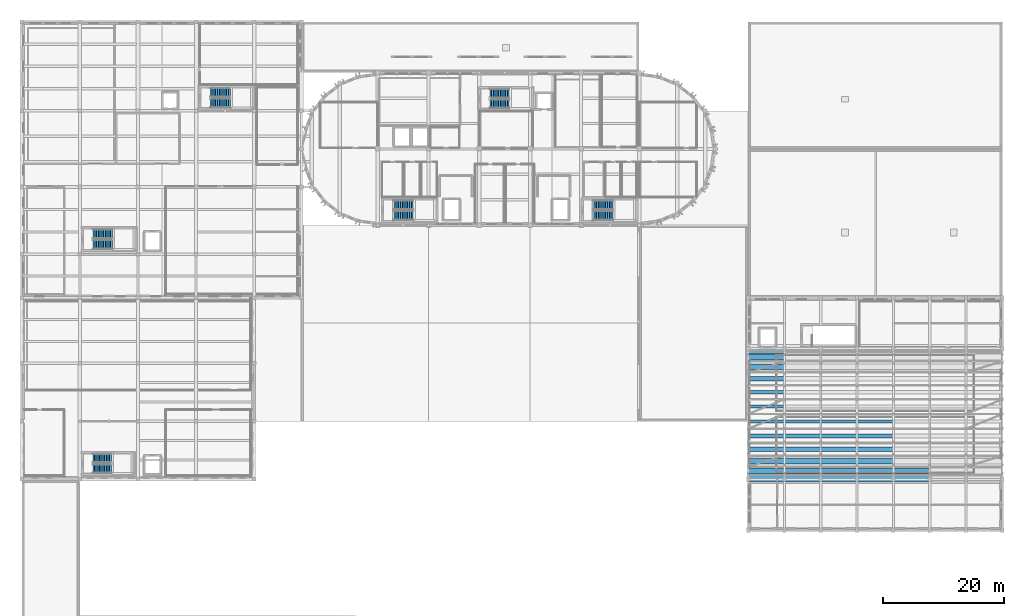
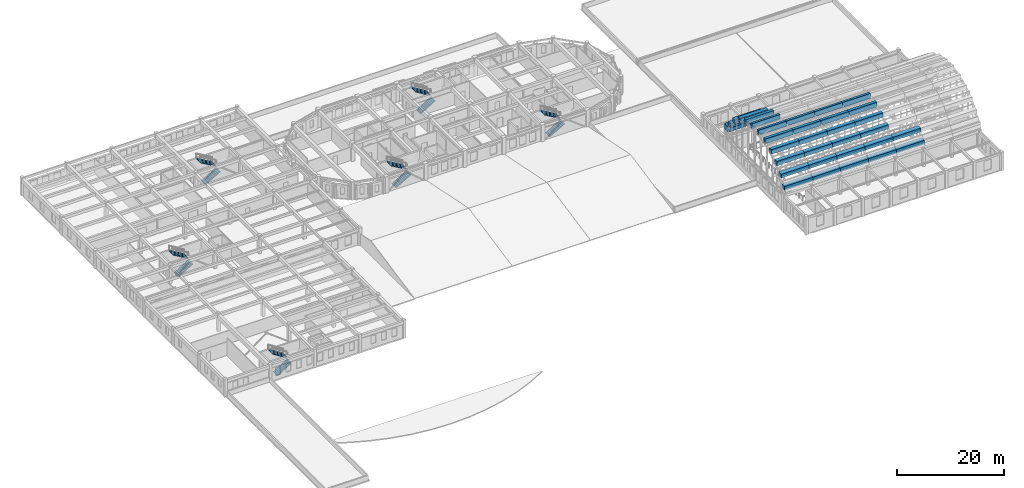
# One storey, part 28 of 46: 32 discrete accessories, 12 stair flights, 6 elements without a shape of their own.
"""IFC4 building model written with IfcOpenShell, lengths in metres."""

from ifc_helpers import new_model, si_unit, direction, frame, origin, origin_2d, place, context, subcontext, project, spatial, polyline, rectangle, outline, extrude, material, type_object, element, aggregate, save


model = new_model("IFC4")

# Units and contexts
model_context = context("Model", 3, precision=1e-05, world=origin(), true_north=direction((0.0, 1.0)))
body_context = subcontext(model_context, "Body", "Model", "MODEL_VIEW")
ifc_project = project(units=[si_unit("LENGTHUNIT", "METRE"), si_unit("AREAUNIT", "SQUARE_METRE"), si_unit("VOLUMEUNIT", "CUBIC_METRE"), si_unit("PLANEANGLEUNIT", "RADIAN"), si_unit("MASSUNIT", "GRAM", prefix="KILO")], contexts=[model_context])

# Site, building, storey
site_placement = place(None, origin())
site = spatial("IfcSite", under=ifc_project, at=site_placement, CompositionType="ELEMENT")
building_placement = place(site_placement, origin())
building = spatial("IfcBuilding", under=site, at=building_placement, Name="Tarnavel Promenade Courthouse", CompositionType="ELEMENT")
storey_placement = place(building_placement, frame((0.0, 0.0, 14.39990234375)))
storey = spatial("IfcBuildingStorey", under=building, at=storey_placement, Name="L04", CompositionType="ELEMENT", Elevation=14.39990234375)

# Stair, stair flights
ifc_material_1 = material(Name="Concrete C35/45", Category="concrete")
stair_type_1 = type_object("IfcStairType", Name="Concrete C35/45 Half-Turn Stair STR-03 (1560W-300G-24R)", PredefinedType="HALF_TURN_STAIR", material=ifc_material_1)
stair_1_placement = place(storey_placement, origin())
stair_1 = element("IfcStair", 1, at=stair_1_placement, inside=storey, type_object=stair_type_1, Name="L04 West Bar Firefighting Exit Stair", PredefinedType="HALF_TURN_STAIR")
stair_flight_type_1 = type_object("IfcStairFlightType", Name="Concrete C35/45 Stair Flight STF-03 (1560W-300G-24R)", PredefinedType="STRAIGHT", material=ifc_material_1)
stair_flight_1_placement = place(storey_placement, frame((61.360107421875, 80.780029296875, 0.0), z_axis=(0.0, 0.0, 1.0), x_axis=(1.0, 0.0, 0.0)))
stair_flight_1 = element("IfcStairFlight", 2, at=stair_flight_1_placement, type_object=stair_flight_type_1, Name="ST-01 flight 1", NumberOfRisers=12, NumberOfTreads=11, PredefinedType="STRAIGHT", RiserHeight=0.175, TreadLength=0.3, context=body_context, shape_type="SweptSolid", body=[
    extrude(outline(polyline([(0.0, 0.0), (0.0, 0.175048828125), (0.300048828125, 0.175048828125), (0.300048828125, 0.35009765625), (0.60009765625, 0.35009765625), (0.60009765625, 0.52490234375), (0.89990234375, 0.52490234375), (0.89990234375, 0.699951171875), (1.199951171875, 0.699951171875), (1.199951171875, 0.875), (1.5, 0.875), (1.5, 1.050048828125), (1.800048828125, 1.050048828125), (1.800048828125, 1.22509765625), (2.10009765625, 1.22509765625), (2.10009765625, 1.39990234375), (2.39990234375, 1.39990234375), (2.39990234375, 1.574951171875), (2.699951171875, 1.574951171875), (2.699951171875, 1.75), (3.0, 1.75), (3.0, 1.925048828125), (3.300048828125, 1.925048828125), (3.300048828125, 2.10009765625), (3.300048828125, 1.75146484375), (0.297607421875, 0.0), (0.0, 0.0)])), frame((0.0, 0.780029296875, 0.0), z_axis=(0.0, -1.0, 0.0), x_axis=(1.0, 0.0, 0.0)), (0.0, 0.0, 1.0), 1.56005859375),
])
stair_flight_2_placement = place(storey_placement, frame((64.659912109375, 82.5400390625, 2.10009765625), z_axis=(0.0, 0.0, 1.0), x_axis=(-1.0, 0.0, 0.0)))
stair_flight_2 = element("IfcStairFlight", 3, at=stair_flight_2_placement, type_object=stair_flight_type_1, Name="ST-01 flight 2", NumberOfRisers=12, NumberOfTreads=11, PredefinedType="STRAIGHT", RiserHeight=0.175, TreadLength=0.3, context=body_context, shape_type="SweptSolid", body=[
    extrude(outline(polyline([(0.0, 0.0), (0.0, 0.175048828125), (0.300048828125, 0.175048828125), (0.300048828125, 0.35009765625), (0.60009765625, 0.35009765625), (0.60009765625, 0.52490234375), (0.89990234375, 0.52490234375), (0.89990234375, 0.699951171875), (1.199951171875, 0.699951171875), (1.199951171875, 0.875), (1.5, 0.875), (1.5, 1.050048828125), (1.800048828125, 1.050048828125), (1.800048828125, 1.22509765625), (2.10009765625, 1.22509765625), (2.10009765625, 1.39990234375), (2.39990234375, 1.39990234375), (2.39990234375, 1.574951171875), (2.699951171875, 1.574951171875), (2.699951171875, 1.75), (3.0, 1.75), (3.0, 1.925048828125), (3.300048828125, 1.925048828125), (3.300048828125, 2.10009765625), (3.300048828125, 1.75146484375), (0.297607421875, 0.0), (0.0, 0.0)])), frame((0.0, 0.780029296875, 0.0), z_axis=(0.0, -1.0, 0.0), x_axis=(1.0, 0.0, 0.0)), (0.0, 0.0, 1.0), 1.56005859375),
])
aggregate(stair_1, [stair_flight_1, stair_flight_2])

stair_2_placement = place(storey_placement, origin())
stair_2 = element("IfcStair", 4, at=stair_2_placement, inside=storey, type_object=stair_type_1, Name="L04 East Bar Firefighting Exit Stair", PredefinedType="HALF_TURN_STAIR")
stair_flight_3_placement = place(storey_placement, frame((94.360107421875, 80.780029296875, 0.0), z_axis=(0.0, 0.0, 1.0), x_axis=(1.0, 0.0, 0.0)))
stair_flight_3 = element("IfcStairFlight", 5, at=stair_flight_3_placement, type_object=stair_flight_type_1, Name="ST-02 flight 1", NumberOfRisers=12, NumberOfTreads=11, PredefinedType="STRAIGHT", RiserHeight=0.175, TreadLength=0.3, context=body_context, shape_type="SweptSolid", body=[
    extrude(outline(polyline([(0.0, 0.0), (0.0, 0.175048828125), (0.300048828125, 0.175048828125), (0.300048828125, 0.35009765625), (0.60009765625, 0.35009765625), (0.60009765625, 0.52490234375), (0.89990234375, 0.52490234375), (0.89990234375, 0.699951171875), (1.199951171875, 0.699951171875), (1.199951171875, 0.875), (1.5, 0.875), (1.5, 1.050048828125), (1.800048828125, 1.050048828125), (1.800048828125, 1.22509765625), (2.10009765625, 1.22509765625), (2.10009765625, 1.39990234375), (2.39990234375, 1.39990234375), (2.39990234375, 1.574951171875), (2.699951171875, 1.574951171875), (2.699951171875, 1.75), (3.0, 1.75), (3.0, 1.925048828125), (3.300048828125, 1.925048828125), (3.300048828125, 2.10009765625), (3.300048828125, 1.75146484375), (0.297607421875, 0.0), (0.0, 0.0)])), frame((0.0, 0.780029296875, 0.0), z_axis=(0.0, -1.0, 0.0), x_axis=(1.0, 0.0, 0.0)), (0.0, 0.0, 1.0), 1.56005859375),
])
stair_flight_4_placement = place(storey_placement, frame((97.659912109375, 82.5400390625, 2.10009765625), z_axis=(0.0, 0.0, 1.0), x_axis=(-1.0, 0.0, 0.0)))
stair_flight_4 = element("IfcStairFlight", 6, at=stair_flight_4_placement, type_object=stair_flight_type_1, Name="ST-02 flight 2", NumberOfRisers=12, NumberOfTreads=11, PredefinedType="STRAIGHT", RiserHeight=0.175, TreadLength=0.3, context=body_context, shape_type="SweptSolid", body=[
    extrude(outline(polyline([(0.0, 0.0), (0.0, 0.175048828125), (0.300048828125, 0.175048828125), (0.300048828125, 0.35009765625), (0.60009765625, 0.35009765625), (0.60009765625, 0.52490234375), (0.89990234375, 0.52490234375), (0.89990234375, 0.699951171875), (1.199951171875, 0.699951171875), (1.199951171875, 0.875), (1.5, 0.875), (1.5, 1.050048828125), (1.800048828125, 1.050048828125), (1.800048828125, 1.22509765625), (2.10009765625, 1.22509765625), (2.10009765625, 1.39990234375), (2.39990234375, 1.39990234375), (2.39990234375, 1.574951171875), (2.699951171875, 1.574951171875), (2.699951171875, 1.75), (3.0, 1.75), (3.0, 1.925048828125), (3.300048828125, 1.925048828125), (3.300048828125, 2.10009765625), (3.300048828125, 1.75146484375), (0.297607421875, 0.0), (0.0, 0.0)])), frame((0.0, 0.780029296875, 0.0), z_axis=(0.0, -1.0, 0.0), x_axis=(1.0, 0.0, 0.0)), (0.0, 0.0, 1.0), 1.56005859375),
])
aggregate(stair_2, [stair_flight_3, stair_flight_4])

stair_type_2 = type_object("IfcStairType", Name="Concrete C35/45 Half-Turn Stair STR-06 (1520W-290G-24R)", PredefinedType="HALF_TURN_STAIR", material=ifc_material_1)
stair_3_placement = place(storey_placement, origin())
stair_3 = element("IfcStair", 7, at=stair_3_placement, inside=storey, type_object=stair_type_2, Name="L04 Central Judicial Chambers Exit Stair", PredefinedType="HALF_TURN_STAIR")
stair_flight_type_2 = type_object("IfcStairFlightType", Name="Concrete C35/45 Stair Flight STF-06 (1520W-290G-24R)", PredefinedType="STRAIGHT", material=ifc_material_1)
stair_flight_5_placement = place(storey_placement, frame((77.320068359375, 99.260009765625, 0.0), z_axis=(0.0, 0.0, 1.0), x_axis=(1.0, 0.0, 0.0)))
stair_flight_5 = element("IfcStairFlight", 8, at=stair_flight_5_placement, type_object=stair_flight_type_2, Name="ST-03 flight 1", NumberOfRisers=12, NumberOfTreads=11, PredefinedType="STRAIGHT", RiserHeight=0.175, TreadLength=0.29, context=body_context, shape_type="SweptSolid", body=[
    extrude(outline(polyline([(0.0, 0.0), (0.0, 0.175048828125), (0.2900390625, 0.175048828125), (0.2900390625, 0.35009765625), (0.580078125, 0.35009765625), (0.580078125, 0.52490234375), (0.8701171875, 0.52490234375), (0.8701171875, 0.699951171875), (1.159912109375, 0.699951171875), (1.159912109375, 0.875), (1.449951171875, 0.875), (1.449951171875, 1.050048828125), (1.739990234375, 1.050048828125), (1.739990234375, 1.22509765625), (2.030029296875, 1.22509765625), (2.030029296875, 1.39990234375), (2.320068359375, 1.39990234375), (2.320068359375, 1.574951171875), (2.610107421875, 1.574951171875), (2.610107421875, 1.75), (2.89990234375, 1.75), (2.89990234375, 1.925048828125), (3.18994140625, 1.925048828125), (3.18994140625, 2.10009765625), (3.18994140625, 1.75), (0.2900390625, 0.0), (0.0, 0.0)])), frame((0.0, 0.760009765625, 0.0), z_axis=(0.0, -1.0, 0.0), x_axis=(1.0, 0.0, 0.0)), (0.0, 0.0, 1.0), 1.52001953125),
])
stair_flight_6_placement = place(storey_placement, frame((80.510009765625, 100.97998046875, 2.10009765625), z_axis=(0.0, 0.0, 1.0), x_axis=(-1.0, 0.0, 0.0)))
stair_flight_6 = element("IfcStairFlight", 9, at=stair_flight_6_placement, type_object=stair_flight_type_2, Name="ST-03 flight 2", NumberOfRisers=12, NumberOfTreads=11, PredefinedType="STRAIGHT", RiserHeight=0.175, TreadLength=0.29, context=body_context, shape_type="SweptSolid", body=[
    extrude(outline(polyline([(0.0, 0.0), (0.0, 0.175048828125), (0.2900390625, 0.175048828125), (0.2900390625, 0.35009765625), (0.580078125, 0.35009765625), (0.580078125, 0.52490234375), (0.8701171875, 0.52490234375), (0.8701171875, 0.699951171875), (1.159912109375, 0.699951171875), (1.159912109375, 0.875), (1.449951171875, 0.875), (1.449951171875, 1.050048828125), (1.739990234375, 1.050048828125), (1.739990234375, 1.22509765625), (2.030029296875, 1.22509765625), (2.030029296875, 1.39990234375), (2.320068359375, 1.39990234375), (2.320068359375, 1.574951171875), (2.610107421875, 1.574951171875), (2.610107421875, 1.75), (2.89990234375, 1.75), (2.89990234375, 1.925048828125), (3.18994140625, 1.925048828125), (3.18994140625, 2.10009765625), (3.18994140625, 1.75), (0.2900390625, 0.0), (0.0, 0.0)])), frame((0.0, 0.760009765625, 0.0), z_axis=(0.0, -1.0, 0.0), x_axis=(1.0, 0.0, 0.0)), (0.0, 0.0, 1.0), 1.52001953125),
])
aggregate(stair_3, [stair_flight_5, stair_flight_6])

stair_type_3 = type_object("IfcStairType", Name="Concrete C35/45 Half-Turn Stair STR-09 (1580W-290G-24R)", PredefinedType="HALF_TURN_STAIR", material=ifc_material_1)
stair_4_placement = place(storey_placement, origin())
stair_4 = element("IfcStair", 10, at=stair_4_placement, inside=storey, type_object=stair_type_3, Name="L04 Trial Courts West Exit Stair", PredefinedType="HALF_TURN_STAIR")
stair_flight_type_3 = type_object("IfcStairFlightType", Name="Concrete C35/45 Stair Flight STF-09 (1580W-290G-24R)", PredefinedType="STRAIGHT", material=ifc_material_1)
stair_flight_7_placement = place(storey_placement, frame((11.780029296875, 75.989990234375, 0.0), z_axis=(0.0, 0.0, 1.0), x_axis=(1.0, 0.0, 0.0)))
stair_flight_7 = element("IfcStairFlight", 11, at=stair_flight_7_placement, type_object=stair_flight_type_3, Name="ST-04 flight 1", NumberOfRisers=12, NumberOfTreads=11, PredefinedType="STRAIGHT", RiserHeight=0.175, TreadLength=0.29, context=body_context, shape_type="SweptSolid", body=[
    extrude(outline(polyline([(0.0, 0.0), (0.0, 0.175048828125), (0.2900390625, 0.175048828125), (0.2900390625, 0.35009765625), (0.580078125, 0.35009765625), (0.580078125, 0.52490234375), (0.8701171875, 0.52490234375), (0.8701171875, 0.699951171875), (1.159912109375, 0.699951171875), (1.159912109375, 0.875), (1.449951171875, 0.875), (1.449951171875, 1.050048828125), (1.739990234375, 1.050048828125), (1.739990234375, 1.22509765625), (2.030029296875, 1.22509765625), (2.030029296875, 1.39990234375), (2.320068359375, 1.39990234375), (2.320068359375, 1.574951171875), (2.610107421875, 1.574951171875), (2.610107421875, 1.75), (2.89990234375, 1.75), (2.89990234375, 1.925048828125), (3.18994140625, 1.925048828125), (3.18994140625, 2.10009765625), (3.18994140625, 1.75), (0.2900390625, 0.0), (0.0, 0.0)])), frame((0.0, 0.7900390625, 0.0), z_axis=(0.0, -1.0, 0.0), x_axis=(1.0, 0.0, 0.0)), (0.0, 0.0, 1.0), 1.580078125),
])
stair_flight_8_placement = place(storey_placement, frame((14.969970703125, 77.77001953125, 2.10009765625), z_axis=(0.0, 0.0, 1.0), x_axis=(-1.0, 0.0, 0.0)))
stair_flight_8 = element("IfcStairFlight", 12, at=stair_flight_8_placement, type_object=stair_flight_type_3, Name="ST-04 flight 2", NumberOfRisers=12, NumberOfTreads=11, PredefinedType="STRAIGHT", RiserHeight=0.175, TreadLength=0.29, context=body_context, shape_type="SweptSolid", body=[
    extrude(outline(polyline([(0.0, 0.0), (0.0, 0.175048828125), (0.2900390625, 0.175048828125), (0.2900390625, 0.35009765625), (0.580078125, 0.35009765625), (0.580078125, 0.52490234375), (0.8701171875, 0.52490234375), (0.8701171875, 0.699951171875), (1.159912109375, 0.699951171875), (1.159912109375, 0.875), (1.449951171875, 0.875), (1.449951171875, 1.050048828125), (1.739990234375, 1.050048828125), (1.739990234375, 1.22509765625), (2.030029296875, 1.22509765625), (2.030029296875, 1.39990234375), (2.320068359375, 1.39990234375), (2.320068359375, 1.574951171875), (2.610107421875, 1.574951171875), (2.610107421875, 1.75), (2.89990234375, 1.75), (2.89990234375, 1.925048828125), (3.18994140625, 1.925048828125), (3.18994140625, 2.10009765625), (3.18994140625, 1.75), (0.2900390625, 0.0), (0.0, 0.0)])), frame((0.0, 0.7900390625, 0.0), z_axis=(0.0, -1.0, 0.0), x_axis=(1.0, 0.0, 0.0)), (0.0, 0.0, 1.0), 1.580078125),
])
aggregate(stair_4, [stair_flight_7, stair_flight_8])

stair_type_4 = type_object("IfcStairType", Name="Concrete C35/45 Half-Turn Stair STR-12 (1540W-300G-24R)", PredefinedType="HALF_TURN_STAIR", material=ifc_material_1)
stair_5_placement = place(storey_placement, origin())
stair_5 = element("IfcStair", 13, at=stair_5_placement, inside=storey, type_object=stair_type_4, Name="L04 Trial Courts North Exit Stair", PredefinedType="HALF_TURN_STAIR")
stair_flight_type_4 = type_object("IfcStairFlightType", Name="Concrete C35/45 Stair Flight STF-12 (1540W-300G-24R)", PredefinedType="STRAIGHT", material=ifc_material_1)
stair_flight_9_placement = place(storey_placement, frame((31.139892578125, 99.3701171875, 0.0), z_axis=(0.0, 0.0, 1.0), x_axis=(1.0, 0.0, 0.0)))
stair_flight_9 = element("IfcStairFlight", 14, at=stair_flight_9_placement, type_object=stair_flight_type_4, Name="ST-07 flight 1", NumberOfRisers=12, NumberOfTreads=11, PredefinedType="STRAIGHT", RiserHeight=0.175, TreadLength=0.3, context=body_context, shape_type="SweptSolid", body=[
    extrude(outline(polyline([(0.0, 0.0), (0.0, 0.175048828125), (0.300048828125, 0.175048828125), (0.300048828125, 0.35009765625), (0.60009765625, 0.35009765625), (0.60009765625, 0.52490234375), (0.89990234375, 0.52490234375), (0.89990234375, 0.699951171875), (1.199951171875, 0.699951171875), (1.199951171875, 0.875), (1.5, 0.875), (1.5, 1.050048828125), (1.800048828125, 1.050048828125), (1.800048828125, 1.22509765625), (2.10009765625, 1.22509765625), (2.10009765625, 1.39990234375), (2.39990234375, 1.39990234375), (2.39990234375, 1.574951171875), (2.699951171875, 1.574951171875), (2.699951171875, 1.75), (3.0, 1.75), (3.0, 1.925048828125), (3.300048828125, 1.925048828125), (3.300048828125, 2.10009765625), (3.300048828125, 1.75146484375), (0.297607421875, 0.0), (0.0, 0.0)])), frame((0.0, 0.77001953125, 0.0), z_axis=(0.0, -1.0, 0.0), x_axis=(1.0, 0.0, 0.0)), (0.0, 0.0, 1.0), 1.5400390625),
])
stair_flight_10_placement = place(storey_placement, frame((34.43994140625, 101.110107421875, 2.10009765625), z_axis=(0.0, 0.0, 1.0), x_axis=(-1.0, 0.0, 0.0)))
stair_flight_10 = element("IfcStairFlight", 15, at=stair_flight_10_placement, type_object=stair_flight_type_4, Name="ST-07 flight 2", NumberOfRisers=12, NumberOfTreads=11, PredefinedType="STRAIGHT", RiserHeight=0.175, TreadLength=0.3, context=body_context, shape_type="SweptSolid", body=[
    extrude(outline(polyline([(0.0, 0.0), (0.0, 0.175048828125), (0.300048828125, 0.175048828125), (0.300048828125, 0.35009765625), (0.60009765625, 0.35009765625), (0.60009765625, 0.52490234375), (0.89990234375, 0.52490234375), (0.89990234375, 0.699951171875), (1.199951171875, 0.699951171875), (1.199951171875, 0.875), (1.5, 0.875), (1.5, 1.050048828125), (1.800048828125, 1.050048828125), (1.800048828125, 1.22509765625), (2.10009765625, 1.22509765625), (2.10009765625, 1.39990234375), (2.39990234375, 1.39990234375), (2.39990234375, 1.574951171875), (2.699951171875, 1.574951171875), (2.699951171875, 1.75), (3.0, 1.75), (3.0, 1.925048828125), (3.300048828125, 1.925048828125), (3.300048828125, 2.10009765625), (3.300048828125, 1.75146484375), (0.297607421875, 0.0), (0.0, 0.0)])), frame((0.0, 0.77001953125, 0.0), z_axis=(0.0, -1.0, 0.0), x_axis=(1.0, 0.0, 0.0)), (0.0, 0.0, 1.0), 1.5400390625),
])
aggregate(stair_5, [stair_flight_9, stair_flight_10])

stair_type_5 = type_object("IfcStairType", Name="Concrete C35/45 Half-Turn Stair STR-14 (1520W-280G-24R)", PredefinedType="HALF_TURN_STAIR", material=ifc_material_1)
stair_6_placement = place(storey_placement, origin())
stair_6 = element("IfcStair", 16, at=stair_6_placement, inside=storey, type_object=stair_type_5, Name="L04 Law Library Exit Stair", PredefinedType="HALF_TURN_STAIR")
stair_flight_type_5 = type_object("IfcStairFlightType", Name="Concrete C35/45 Stair Flight STF-14 (1520W-280G-24R)", PredefinedType="STRAIGHT", material=ifc_material_1)
stair_flight_11_placement = place(storey_placement, frame((11.719970703125, 38.9599609375, 0.0), z_axis=(0.0, 0.0, 1.0), x_axis=(1.0, 0.0, 0.0)))
stair_flight_11 = element("IfcStairFlight", 17, at=stair_flight_11_placement, type_object=stair_flight_type_5, Name="ST-05 flight 1", NumberOfRisers=12, NumberOfTreads=11, PredefinedType="STRAIGHT", RiserHeight=0.175, TreadLength=0.28, context=body_context, shape_type="SweptSolid", body=[
    extrude(outline(polyline([(0.0, 0.0), (0.0, 0.175048828125), (0.280029296875, 0.175048828125), (0.280029296875, 0.35009765625), (0.56005859375, 0.35009765625), (0.56005859375, 0.52490234375), (0.840087890625, 0.52490234375), (0.840087890625, 0.699951171875), (1.1201171875, 0.699951171875), (1.1201171875, 0.875), (1.39990234375, 0.875), (1.39990234375, 1.050048828125), (1.679931640625, 1.050048828125), (1.679931640625, 1.22509765625), (1.9599609375, 1.22509765625), (1.9599609375, 1.39990234375), (2.239990234375, 1.39990234375), (2.239990234375, 1.574951171875), (2.52001953125, 1.574951171875), (2.52001953125, 1.75), (2.800048828125, 1.75), (2.800048828125, 1.925048828125), (3.080078125, 1.925048828125), (3.080078125, 2.10009765625), (3.080078125, 1.748291015625), (0.28271484375, 0.0), (0.0, 0.0)])), frame((0.0, 0.760009765625, 0.0), z_axis=(0.0, -1.0, 0.0), x_axis=(1.0, 0.0, 0.0)), (0.0, 0.0, 1.0), 1.52001953125),
])
stair_flight_12_placement = place(storey_placement, frame((14.800048828125, 40.679931640625, 2.10009765625), z_axis=(0.0, 0.0, 1.0), x_axis=(-1.0, 0.0, 0.0)))
stair_flight_12 = element("IfcStairFlight", 18, at=stair_flight_12_placement, type_object=stair_flight_type_5, Name="ST-05 flight 2", NumberOfRisers=12, NumberOfTreads=11, PredefinedType="STRAIGHT", RiserHeight=0.175, TreadLength=0.28, context=body_context, shape_type="SweptSolid", body=[
    extrude(outline(polyline([(0.0, 0.0), (0.0, 0.175048828125), (0.280029296875, 0.175048828125), (0.280029296875, 0.35009765625), (0.56005859375, 0.35009765625), (0.56005859375, 0.52490234375), (0.840087890625, 0.52490234375), (0.840087890625, 0.699951171875), (1.1201171875, 0.699951171875), (1.1201171875, 0.875), (1.39990234375, 0.875), (1.39990234375, 1.050048828125), (1.679931640625, 1.050048828125), (1.679931640625, 1.22509765625), (1.9599609375, 1.22509765625), (1.9599609375, 1.39990234375), (2.239990234375, 1.39990234375), (2.239990234375, 1.574951171875), (2.52001953125, 1.574951171875), (2.52001953125, 1.75), (2.800048828125, 1.75), (2.800048828125, 1.925048828125), (3.080078125, 1.925048828125), (3.080078125, 2.10009765625), (3.080078125, 1.748291015625), (0.28271484375, 0.0), (0.0, 0.0)])), frame((0.0, 0.760009765625, 0.0), z_axis=(0.0, -1.0, 0.0), x_axis=(1.0, 0.0, 0.0)), (0.0, 0.0, 1.0), 1.52001953125),
])
aggregate(stair_6, [stair_flight_11, stair_flight_12])

# Discrete accessories
ifc_material_2 = material(Name="Steel S355J2", Category="steel")
discrete_accessory_type = type_object("IfcDiscreteAccessoryType", Name="Steel S355J2 Structural Connection Bracket", PredefinedType="BRACKET", material=ifc_material_2)
discrete_accessory_1_placement = place(storey_placement, frame((123.0, 37.350830078125, 5.07470703125), z_axis=(0.0, 0.0, 1.0), x_axis=(1.0, 0.0, 0.0)))
element("IfcDiscreteAccessory", 19, at=discrete_accessory_1_placement, inside=storey, type_object=discrete_accessory_type, Name="V1 Vault Panel Cleat Assembly 01-01", PredefinedType="BRACKET", context=body_context, shape_type="SweptSolid", body=[
    extrude(rectangle(XDim=6.0400390625, YDim=1.083251953125, at=origin_2d()), origin(), (0.0, 0.0, 1.0), 0.892333984375),
])
discrete_accessory_2_placement = place(storey_placement, frame((123.0, 38.56884765625, 7.120361328125), z_axis=(0.0, 0.0, 1.0), x_axis=(1.0, 0.0, 0.0)))
element("IfcDiscreteAccessory", 20, at=discrete_accessory_2_placement, inside=storey, type_object=discrete_accessory_type, Name="V1 Vault Panel Cleat Assembly 01-02", PredefinedType="BRACKET", context=body_context, shape_type="SweptSolid", body=[
    extrude(rectangle(XDim=6.0400390625, YDim=1.007568359375, at=origin_2d()), origin(), (0.0, 0.0, 1.0), 0.8466796875),
])
discrete_accessory_3_placement = place(storey_placement, frame((123.0, 40.19921875, 8.875732421875), z_axis=(0.0, 0.0, 1.0), x_axis=(1.0, 0.0, 0.0)))
element("IfcDiscreteAccessory", 21, at=discrete_accessory_3_placement, inside=storey, type_object=discrete_accessory_type, Name="V1 Vault Panel Cleat Assembly 01-03", PredefinedType="BRACKET", context=body_context, shape_type="SweptSolid", body=[
    extrude(rectangle(XDim=6.0400390625, YDim=0.906005859375, at=origin_2d()), origin(), (0.0, 0.0, 1.0), 0.95947265625),
])
discrete_accessory_4_placement = place(storey_placement, frame((123.0, 42.1708984375, 10.26416015625), z_axis=(0.0, 0.0, 1.0), x_axis=(1.0, 0.0, 0.0)))
element("IfcDiscreteAccessory", 22, at=discrete_accessory_4_placement, inside=storey, type_object=discrete_accessory_type, Name="V1 Vault Panel Cleat Assembly 01-04", PredefinedType="BRACKET", context=body_context, shape_type="SweptSolid", body=[
    extrude(rectangle(XDim=6.0400390625, YDim=0.783203125, at=origin_2d()), origin(), (0.0, 0.0, 1.0), 1.048583984375),
])
discrete_accessory_5_placement = place(storey_placement, frame((123.0, 44.397216796875, 11.224853515625), z_axis=(0.0, 0.0, 1.0), x_axis=(1.0, 0.0, 0.0)))
element("IfcDiscreteAccessory", 23, at=discrete_accessory_5_placement, inside=storey, type_object=discrete_accessory_type, Name="V1 Vault Panel Cleat Assembly 01-05", PredefinedType="BRACKET", context=body_context, shape_type="SweptSolid", body=[
    extrude(rectangle(XDim=6.0400390625, YDim=0.644287109375, at=origin_2d()), origin(), (0.0, 0.0, 1.0), 1.1103515625),
])
for number, where, z_axis, x_axis, name in (
    (24, (123.0, 46.78125, 11.716064453125), (0.0, 0.0, 1.0), (1.0, 0.0, 0.0), "V1 Vault Panel Cleat Assembly 01-06"),
    (25, (123.0, 49.21875, 11.716064453125), (0.0, 0.0, 1.0), (1.0, 0.0, 0.0), "V1 Vault Panel Cleat Assembly 01-07"),
):
    element("IfcDiscreteAccessory", number, at=place(storey_placement, frame(where, z_axis=z_axis, x_axis=x_axis)), inside=storey, type_object=discrete_accessory_type, Name=name, PredefinedType="BRACKET", context=body_context, shape_type="SweptSolid", body=[
        extrude(rectangle(XDim=6.0400390625, YDim=0.495849609375, at=origin_2d()), origin(), (0.0, 0.0, 1.0), 1.14208984375),
    ])
discrete_accessory_6_placement = place(storey_placement, frame((123.0, 51.602783203125, 11.224853515625), z_axis=(0.0, 0.0, 1.0), x_axis=(1.0, 0.0, 0.0)))
element("IfcDiscreteAccessory", 26, at=discrete_accessory_6_placement, inside=storey, type_object=discrete_accessory_type, Name="V1 Vault Panel Cleat Assembly 01-08", PredefinedType="BRACKET", context=body_context, shape_type="SweptSolid", body=[
    extrude(rectangle(XDim=6.0400390625, YDim=0.644287109375, at=origin_2d()), origin(), (0.0, 0.0, 1.0), 1.1103515625),
])
discrete_accessory_7_placement = place(storey_placement, frame((123.0, 53.8291015625, 10.26416015625), z_axis=(0.0, 0.0, 1.0), x_axis=(1.0, 0.0, 0.0)))
element("IfcDiscreteAccessory", 27, at=discrete_accessory_7_placement, inside=storey, type_object=discrete_accessory_type, Name="V1 Vault Panel Cleat Assembly 01-09", PredefinedType="BRACKET", context=body_context, shape_type="SweptSolid", body=[
    extrude(rectangle(XDim=6.0400390625, YDim=0.783203125, at=origin_2d()), origin(), (0.0, 0.0, 1.0), 1.048583984375),
])
discrete_accessory_8_placement = place(storey_placement, frame((123.0, 55.80078125, 8.875732421875), z_axis=(0.0, 0.0, 1.0), x_axis=(1.0, 0.0, 0.0)))
element("IfcDiscreteAccessory", 28, at=discrete_accessory_8_placement, inside=storey, type_object=discrete_accessory_type, Name="V1 Vault Panel Cleat Assembly 01-10", PredefinedType="BRACKET", context=body_context, shape_type="SweptSolid", body=[
    extrude(rectangle(XDim=6.0400390625, YDim=0.906005859375, at=origin_2d()), origin(), (0.0, 0.0, 1.0), 0.95947265625),
])
discrete_accessory_9_placement = place(storey_placement, frame((123.0, 57.43115234375, 7.120361328125), z_axis=(0.0, 0.0, 1.0), x_axis=(1.0, 0.0, 0.0)))
element("IfcDiscreteAccessory", 29, at=discrete_accessory_9_placement, inside=storey, type_object=discrete_accessory_type, Name="V1 Vault Panel Cleat Assembly 01-11", PredefinedType="BRACKET", context=body_context, shape_type="SweptSolid", body=[
    extrude(rectangle(XDim=6.0400390625, YDim=1.007568359375, at=origin_2d()), origin(), (0.0, 0.0, 1.0), 0.8466796875),
])
discrete_accessory_10_placement = place(storey_placement, frame((123.0, 58.568115234375, 5.517333984375), z_axis=(0.0, 0.0, 1.0), x_axis=(1.0, 0.0, 0.0)))
element("IfcDiscreteAccessory", 30, at=discrete_accessory_10_placement, inside=storey, type_object=discrete_accessory_type, Name="V1 Vault Eave Panel Cleat 01", PredefinedType="BRACKET", context=body_context, shape_type="SweptSolid", body=[
    extrude(rectangle(XDim=6.0400390625, YDim=1.305419921875, at=origin_2d()), origin(), (0.0, 0.0, 1.0), 1.27734375),
])
discrete_accessory_11_placement = place(storey_placement, frame((129.0, 37.350830078125, 5.07470703125), z_axis=(0.0, 0.0, 1.0), x_axis=(1.0, 0.0, 0.0)))
element("IfcDiscreteAccessory", 31, at=discrete_accessory_11_placement, inside=storey, type_object=discrete_accessory_type, Name="V1 Vault Panel Cleat Assembly 02-01", PredefinedType="BRACKET", context=body_context, shape_type="SweptSolid", body=[
    extrude(rectangle(XDim=6.0400390625, YDim=1.083251953125, at=origin_2d()), origin(), (0.0, 0.0, 1.0), 0.892333984375),
])
discrete_accessory_12_placement = place(storey_placement, frame((129.0, 38.56884765625, 7.120361328125), z_axis=(0.0, 0.0, 1.0), x_axis=(1.0, 0.0, 0.0)))
element("IfcDiscreteAccessory", 32, at=discrete_accessory_12_placement, inside=storey, type_object=discrete_accessory_type, Name="V1 Vault Panel Cleat Assembly 02-02", PredefinedType="BRACKET", context=body_context, shape_type="SweptSolid", body=[
    extrude(rectangle(XDim=6.0400390625, YDim=1.007568359375, at=origin_2d()), origin(), (0.0, 0.0, 1.0), 0.8466796875),
])
discrete_accessory_13_placement = place(storey_placement, frame((129.0, 40.19921875, 8.875732421875), z_axis=(0.0, 0.0, 1.0), x_axis=(1.0, 0.0, 0.0)))
element("IfcDiscreteAccessory", 33, at=discrete_accessory_13_placement, inside=storey, type_object=discrete_accessory_type, Name="V1 Vault Panel Cleat Assembly 02-03", PredefinedType="BRACKET", context=body_context, shape_type="SweptSolid", body=[
    extrude(rectangle(XDim=6.0400390625, YDim=0.906005859375, at=origin_2d()), origin(), (0.0, 0.0, 1.0), 0.95947265625),
])
discrete_accessory_14_placement = place(storey_placement, frame((129.0, 42.1708984375, 10.26416015625), z_axis=(0.0, 0.0, 1.0), x_axis=(1.0, 0.0, 0.0)))
element("IfcDiscreteAccessory", 34, at=discrete_accessory_14_placement, inside=storey, type_object=discrete_accessory_type, Name="V1 Vault Panel Cleat Assembly 02-04", PredefinedType="BRACKET", context=body_context, shape_type="SweptSolid", body=[
    extrude(rectangle(XDim=6.0400390625, YDim=0.783203125, at=origin_2d()), origin(), (0.0, 0.0, 1.0), 1.048583984375),
])
discrete_accessory_15_placement = place(storey_placement, frame((129.0, 44.397216796875, 11.224853515625), z_axis=(0.0, 0.0, 1.0), x_axis=(1.0, 0.0, 0.0)))
element("IfcDiscreteAccessory", 35, at=discrete_accessory_15_placement, inside=storey, type_object=discrete_accessory_type, Name="V1 Vault Panel Cleat Assembly 02-05", PredefinedType="BRACKET", context=body_context, shape_type="SweptSolid", body=[
    extrude(rectangle(XDim=6.0400390625, YDim=0.644287109375, at=origin_2d()), origin(), (0.0, 0.0, 1.0), 1.1103515625),
])
discrete_accessory_16_placement = place(storey_placement, frame((129.0, 46.78125, 11.716064453125), z_axis=(0.0, 0.0, 1.0), x_axis=(1.0, 0.0, 0.0)))
element("IfcDiscreteAccessory", 36, at=discrete_accessory_16_placement, inside=storey, type_object=discrete_accessory_type, Name="V1 Vault Panel Cleat Assembly 02-06", PredefinedType="BRACKET", context=body_context, shape_type="SweptSolid", body=[
    extrude(rectangle(XDim=6.0400390625, YDim=0.495849609375, at=origin_2d()), origin(), (0.0, 0.0, 1.0), 1.14208984375),
])
discrete_accessory_17_placement = place(storey_placement, frame((135.0, 37.350830078125, 5.07470703125), z_axis=(0.0, 0.0, 1.0), x_axis=(1.0, 0.0, 0.0)))
element("IfcDiscreteAccessory", 37, at=discrete_accessory_17_placement, inside=storey, type_object=discrete_accessory_type, Name="V1 Vault Panel Cleat Assembly 03-01", PredefinedType="BRACKET", context=body_context, shape_type="SweptSolid", body=[
    extrude(rectangle(XDim=6.0400390625, YDim=1.083251953125, at=origin_2d()), origin(), (0.0, 0.0, 1.0), 0.892333984375),
])
discrete_accessory_18_placement = place(storey_placement, frame((135.0, 38.56884765625, 7.120361328125), z_axis=(0.0, 0.0, 1.0), x_axis=(1.0, 0.0, 0.0)))
element("IfcDiscreteAccessory", 38, at=discrete_accessory_18_placement, inside=storey, type_object=discrete_accessory_type, Name="V1 Vault Panel Cleat Assembly 03-02", PredefinedType="BRACKET", context=body_context, shape_type="SweptSolid", body=[
    extrude(rectangle(XDim=6.0400390625, YDim=1.007568359375, at=origin_2d()), origin(), (0.0, 0.0, 1.0), 0.8466796875),
])
discrete_accessory_19_placement = place(storey_placement, frame((135.0, 40.19921875, 8.875732421875), z_axis=(0.0, 0.0, 1.0), x_axis=(1.0, 0.0, 0.0)))
element("IfcDiscreteAccessory", 39, at=discrete_accessory_19_placement, inside=storey, type_object=discrete_accessory_type, Name="V1 Vault Panel Cleat Assembly 03-03", PredefinedType="BRACKET", context=body_context, shape_type="SweptSolid", body=[
    extrude(rectangle(XDim=6.0400390625, YDim=0.906005859375, at=origin_2d()), origin(), (0.0, 0.0, 1.0), 0.95947265625),
])
discrete_accessory_20_placement = place(storey_placement, frame((135.0, 42.1708984375, 10.26416015625), z_axis=(0.0, 0.0, 1.0), x_axis=(1.0, 0.0, 0.0)))
element("IfcDiscreteAccessory", 40, at=discrete_accessory_20_placement, inside=storey, type_object=discrete_accessory_type, Name="V1 Vault Panel Cleat Assembly 03-04", PredefinedType="BRACKET", context=body_context, shape_type="SweptSolid", body=[
    extrude(rectangle(XDim=6.0400390625, YDim=0.783203125, at=origin_2d()), origin(), (0.0, 0.0, 1.0), 1.048583984375),
])
discrete_accessory_21_placement = place(storey_placement, frame((135.0, 44.397216796875, 11.224853515625), z_axis=(0.0, 0.0, 1.0), x_axis=(1.0, 0.0, 0.0)))
element("IfcDiscreteAccessory", 41, at=discrete_accessory_21_placement, inside=storey, type_object=discrete_accessory_type, Name="V1 Vault Panel Cleat Assembly 03-05", PredefinedType="BRACKET", context=body_context, shape_type="SweptSolid", body=[
    extrude(rectangle(XDim=6.0400390625, YDim=0.644287109375, at=origin_2d()), origin(), (0.0, 0.0, 1.0), 1.1103515625),
])
discrete_accessory_22_placement = place(storey_placement, frame((135.0, 46.78125, 11.716064453125), z_axis=(0.0, 0.0, 1.0), x_axis=(1.0, 0.0, 0.0)))
element("IfcDiscreteAccessory", 42, at=discrete_accessory_22_placement, inside=storey, type_object=discrete_accessory_type, Name="V1 Vault Panel Cleat Assembly 03-06", PredefinedType="BRACKET", context=body_context, shape_type="SweptSolid", body=[
    extrude(rectangle(XDim=6.0400390625, YDim=0.495849609375, at=origin_2d()), origin(), (0.0, 0.0, 1.0), 1.14208984375),
])
discrete_accessory_23_placement = place(storey_placement, frame((141.0, 37.350830078125, 5.07470703125), z_axis=(0.0, 0.0, 1.0), x_axis=(1.0, 0.0, 0.0)))
element("IfcDiscreteAccessory", 43, at=discrete_accessory_23_placement, inside=storey, type_object=discrete_accessory_type, Name="V1 Vault Panel Cleat Assembly 04-01", PredefinedType="BRACKET", context=body_context, shape_type="SweptSolid", body=[
    extrude(rectangle(XDim=6.0400390625, YDim=1.083251953125, at=origin_2d()), origin(), (0.0, 0.0, 1.0), 0.892333984375),
])
discrete_accessory_24_placement = place(storey_placement, frame((141.0, 38.56884765625, 7.120361328125), z_axis=(0.0, 0.0, 1.0), x_axis=(1.0, 0.0, 0.0)))
element("IfcDiscreteAccessory", 44, at=discrete_accessory_24_placement, inside=storey, type_object=discrete_accessory_type, Name="V1 Vault Panel Cleat Assembly 04-02", PredefinedType="BRACKET", context=body_context, shape_type="SweptSolid", body=[
    extrude(rectangle(XDim=6.0400390625, YDim=1.007568359375, at=origin_2d()), origin(), (0.0, 0.0, 1.0), 0.8466796875),
])
discrete_accessory_25_placement = place(storey_placement, frame((141.0, 40.19921875, 8.875732421875), z_axis=(0.0, 0.0, 1.0), x_axis=(1.0, 0.0, 0.0)))
element("IfcDiscreteAccessory", 45, at=discrete_accessory_25_placement, inside=storey, type_object=discrete_accessory_type, Name="V1 Vault Panel Cleat Assembly 04-03", PredefinedType="BRACKET", context=body_context, shape_type="SweptSolid", body=[
    extrude(rectangle(XDim=6.0400390625, YDim=0.906005859375, at=origin_2d()), origin(), (0.0, 0.0, 1.0), 0.95947265625),
])
discrete_accessory_26_placement = place(storey_placement, frame((141.0, 42.1708984375, 10.26416015625), z_axis=(0.0, 0.0, 1.0), x_axis=(1.0, 0.0, 0.0)))
element("IfcDiscreteAccessory", 46, at=discrete_accessory_26_placement, inside=storey, type_object=discrete_accessory_type, Name="V1 Vault Panel Cleat Assembly 04-04", PredefinedType="BRACKET", context=body_context, shape_type="SweptSolid", body=[
    extrude(rectangle(XDim=6.0400390625, YDim=0.783203125, at=origin_2d()), origin(), (0.0, 0.0, 1.0), 1.048583984375),
])
discrete_accessory_27_placement = place(storey_placement, frame((141.0, 44.397216796875, 11.224853515625), z_axis=(0.0, 0.0, 1.0), x_axis=(1.0, 0.0, 0.0)))
element("IfcDiscreteAccessory", 47, at=discrete_accessory_27_placement, inside=storey, type_object=discrete_accessory_type, Name="V1 Vault Panel Cleat Assembly 04-05", PredefinedType="BRACKET", context=body_context, shape_type="SweptSolid", body=[
    extrude(rectangle(XDim=6.0400390625, YDim=0.644287109375, at=origin_2d()), origin(), (0.0, 0.0, 1.0), 1.1103515625),
])
discrete_accessory_28_placement = place(storey_placement, frame((141.0, 46.78125, 11.716064453125), z_axis=(0.0, 0.0, 1.0), x_axis=(1.0, 0.0, 0.0)))
element("IfcDiscreteAccessory", 48, at=discrete_accessory_28_placement, inside=storey, type_object=discrete_accessory_type, Name="V1 Vault Panel Cleat Assembly 04-06", PredefinedType="BRACKET", context=body_context, shape_type="SweptSolid", body=[
    extrude(rectangle(XDim=6.0400390625, YDim=0.495849609375, at=origin_2d()), origin(), (0.0, 0.0, 1.0), 1.14208984375),
])
discrete_accessory_29_placement = place(storey_placement, frame((147.0, 37.350830078125, 5.07470703125), z_axis=(0.0, 0.0, 1.0), x_axis=(1.0, 0.0, 0.0)))
element("IfcDiscreteAccessory", 49, at=discrete_accessory_29_placement, inside=storey, type_object=discrete_accessory_type, Name="V1 Vault Panel Cleat Assembly 05-01", PredefinedType="BRACKET", context=body_context, shape_type="SweptSolid", body=[
    extrude(rectangle(XDim=6.0400390625, YDim=1.083251953125, at=origin_2d()), origin(), (0.0, 0.0, 1.0), 0.892333984375),
])
discrete_accessory_30_placement = place(storey_placement, frame((147.0, 38.56884765625, 7.120361328125), z_axis=(0.0, 0.0, 1.0), x_axis=(1.0, 0.0, 0.0)))
element("IfcDiscreteAccessory", 50, at=discrete_accessory_30_placement, inside=storey, type_object=discrete_accessory_type, Name="V1 Vault Panel Cleat Assembly 05-02", PredefinedType="BRACKET", context=body_context, shape_type="SweptSolid", body=[
    extrude(rectangle(XDim=6.0400390625, YDim=1.007568359375, at=origin_2d()), origin(), (0.0, 0.0, 1.0), 0.8466796875),
])

save(model, "model.ifc")
